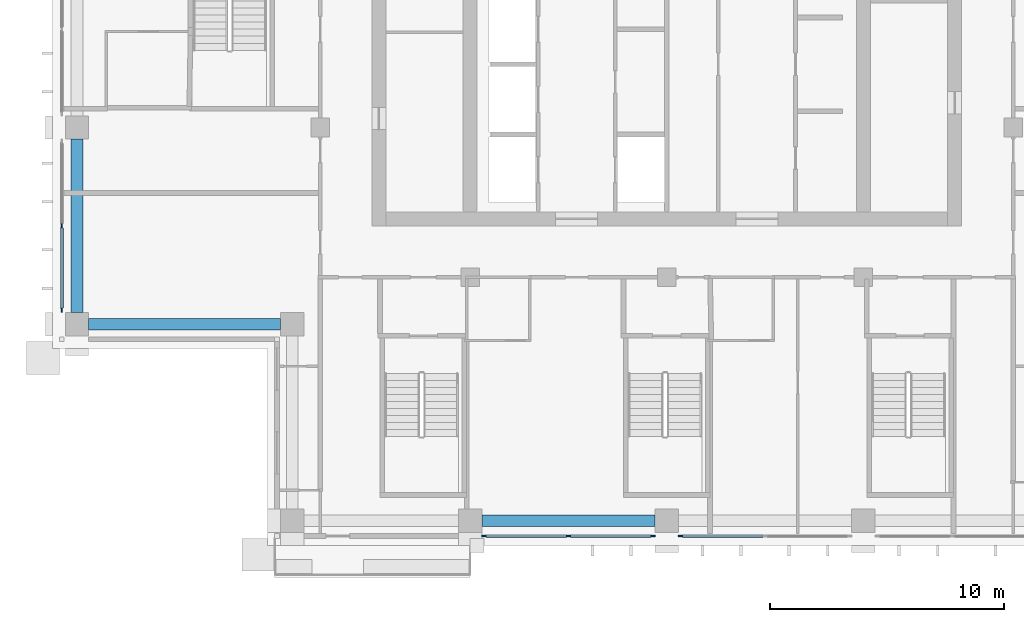
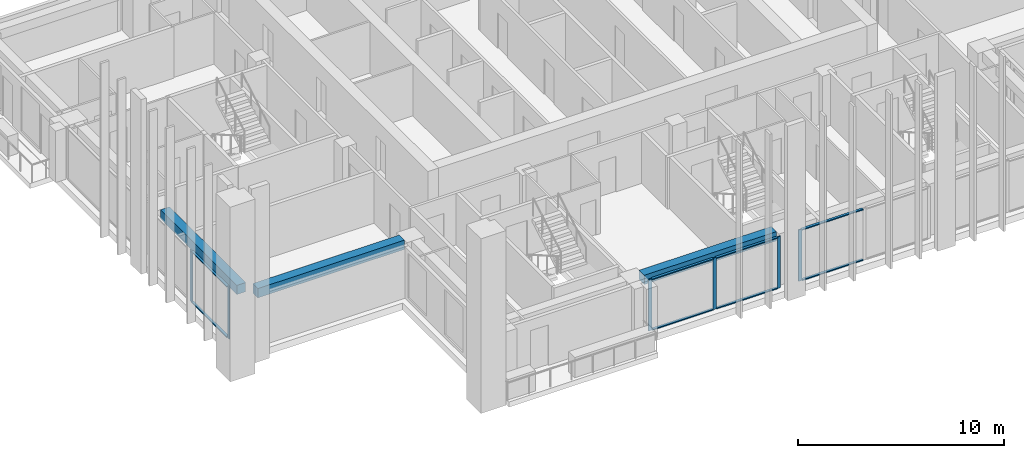
# One storey, part 2 of 17: 14 members, 3 beams, 3 elements without a shape of their own.
"""IFC4 building model written with IfcOpenShell, lengths in metres."""

from ifc_helpers import new_model, si_unit, direction, frame, origin, origin_2d, place, context, subcontext, project, spatial, rectangle, extrude, material, material_profile, profile_set, type_object, element, aggregate, save


model = new_model("IFC4")

# Units and contexts
model_context = context("Model", 3, precision=1e-05, world=origin(), true_north=direction((0.0, 1.0)))
body_context = subcontext(model_context, "Body", "Model", "MODEL_VIEW")
ifc_project = project(units=[si_unit("LENGTHUNIT", "METRE"), si_unit("AREAUNIT", "SQUARE_METRE"), si_unit("VOLUMEUNIT", "CUBIC_METRE"), si_unit("PLANEANGLEUNIT", "RADIAN"), si_unit("MASSUNIT", "GRAM", prefix="KILO")], contexts=[model_context])

# Site, building, storey
site_placement = place(None, origin())
site = spatial("IfcSite", under=ifc_project, at=site_placement, CompositionType="ELEMENT")
building_placement = place(site_placement, origin())
building = spatial("IfcBuilding", under=site, at=building_placement, Name="Vermilion Ogive Tower", CompositionType="ELEMENT")
storey_placement = place(building_placement, frame((0.0, 0.0, 175.550048828125)))
storey = spatial("IfcBuildingStorey", under=building, at=storey_placement, Name="L45", CompositionType="ELEMENT", Elevation=175.550048828125)

# Curtain wall, members
ifc_material_1 = material(Name="Low-iron laminated glazing in aluminium frame", Category="aluminium")
curtain_wall_type = type_object("IfcCurtainWallType", Name="Curtain wall CW7", PredefinedType="NOTDEFINED", material=ifc_material_1)
curtain_wall_1_placement = place(storey_placement, origin())
curtain_wall_1 = element("IfcCurtainWall", 1, at=curtain_wall_1_placement, inside=storey, type_object=curtain_wall_type, Name="Glazed skin S2", PredefinedType="NOTDEFINED")
ifc_material_2 = material(Name="Aluminium mullion", Category="aluminium")
ifc_material_profile_1 = material_profile(ifc_material_2, rectangle(XDim=0.06005859375, YDim=0.179931640625, at=origin_2d()), Name="AL 60x180")
ifc_profile_set_1 = profile_set([ifc_material_profile_1], Name="Aluminium mullion")
member_type_1 = type_object("IfcMemberType", Name="CW7 mullion 60x180", PredefinedType="MULLION", material=ifc_profile_set_1)
member_1_placement = place(storey_placement, frame((-7.81005859375, -21.64990234375, 0.0), z_axis=(0.0, 0.0, 1.0), x_axis=(0.0, 1.0, 0.0)))
member_1 = element("IfcMember", 2, at=member_1_placement, type_object=member_type_1, Name="CW7-S2 mullion 1", PredefinedType="MULLION", context=body_context, shape_type="SweptSolid", body=[
    extrude(rectangle(XDim=0.06005859375, YDim=0.179931640625, at=origin_2d()), origin(), (0.0, 0.0, 1.0), 3.050048828125),
])
member_2_placement = place(storey_placement, frame((-4.199951171875, -21.64990234375, 0.0), z_axis=(0.0, 0.0, 1.0), x_axis=(0.0, 1.0, 0.0)))
member_2 = element("IfcMember", 3, at=member_2_placement, type_object=member_type_1, Name="CW7-S2 mullion 2", PredefinedType="MULLION", context=body_context, shape_type="SweptSolid", body=[
    extrude(rectangle(XDim=0.06005859375, YDim=0.179931640625, at=origin_2d()), origin(), (0.0, 0.0, 1.0), 3.050048828125),
])
member_3_placement = place(storey_placement, frame((-0.590087890625, -21.64990234375, 0.0), z_axis=(0.0, 0.0, 1.0), x_axis=(0.0, 1.0, 0.0)))
member_3 = element("IfcMember", 4, at=member_3_placement, type_object=member_type_1, Name="CW7-S2 mullion 3", PredefinedType="MULLION", context=body_context, shape_type="SweptSolid", body=[
    extrude(rectangle(XDim=0.06005859375, YDim=0.179931640625, at=origin_2d()), origin(), (0.0, 0.0, 1.0), 3.050048828125),
])

# Curtain wall, member
curtain_wall_2_placement = place(storey_placement, origin())
curtain_wall_2 = element("IfcCurtainWall", 5, at=curtain_wall_2_placement, inside=storey, type_object=curtain_wall_type, Name="Glazed skin S3", PredefinedType="NOTDEFINED")
member_4_placement = place(storey_placement, frame((0.590087890625, -21.64990234375, 0.0), z_axis=(0.0, 0.0, 1.0), x_axis=(0.0, 1.0, 0.0)))
member_4 = element("IfcMember", 6, at=member_4_placement, type_object=member_type_1, Name="CW7-S3 mullion 1", PredefinedType="MULLION", context=body_context, shape_type="SweptSolid", body=[
    extrude(rectangle(XDim=0.06005859375, YDim=0.179931640625, at=origin_2d()), origin(), (0.0, 0.0, 1.0), 3.050048828125),
])

# Curtain wall, members
curtain_wall_3_placement = place(storey_placement, origin())
curtain_wall_3 = element("IfcCurtainWall", 7, at=curtain_wall_3_placement, inside=storey, type_object=curtain_wall_type, Name="Glazed skin W3", PredefinedType="NOTDEFINED")
member_5_placement = place(storey_placement, frame((-25.85009765625, -8.39990234375, 0.0), z_axis=(0.0, 0.0, 1.0), x_axis=(1.0, 0.0, 0.0)))
member_5 = element("IfcMember", 8, at=member_5_placement, type_object=member_type_1, Name="CW7-W3 mullion 2", PredefinedType="MULLION", context=body_context, shape_type="SweptSolid", body=[
    extrude(rectangle(XDim=0.06005859375, YDim=0.179931640625, at=origin_2d()), origin(), (0.0, 0.0, 1.0), 3.050048828125),
])
member_6_placement = place(storey_placement, frame((-25.85009765625, -12.010009765625, 0.0), z_axis=(0.0, 0.0, 1.0), x_axis=(1.0, 0.0, 0.0)))
member_6 = element("IfcMember", 9, at=member_6_placement, type_object=member_type_1, Name="CW7-W3 mullion 3", PredefinedType="MULLION", context=body_context, shape_type="SweptSolid", body=[
    extrude(rectangle(XDim=0.06005859375, YDim=0.179931640625, at=origin_2d()), origin(), (0.0, 0.0, 1.0), 3.050048828125),
])

# Member
ifc_material_3 = material(Name="Aluminium transom", Category="aluminium")
ifc_material_profile_2 = material_profile(ifc_material_3, rectangle(XDim=0.139892578125, YDim=0.06005859375, at=origin_2d()), Name="AL 60x140")
ifc_profile_set_2 = profile_set([ifc_material_profile_2], Name="Aluminium transom")
member_type_2 = type_object("IfcMemberType", Name="CW7 transom 60x140", PredefinedType="USERDEFINED", material=ifc_profile_set_2)
member_7_placement = place(storey_placement, frame((-7.719970703125, -21.64990234375, 0.030029296875), z_axis=(1.0, 0.0, 0.0), x_axis=(0.0, 1.0, 0.0)))
member_7 = element("IfcMember", 10, at=member_7_placement, type_object=member_type_2, Name="CW7-S2 transom 1.1", ObjectType="TRANSOM", PredefinedType="USERDEFINED", context=body_context, shape_type="SweptSolid", body=[
    extrude(rectangle(XDim=0.139892578125, YDim=0.06005859375, at=origin_2d()), origin(), (0.0, 0.0, 1.0), 3.429931640625),
])

member_8_placement = place(storey_placement, frame((-7.719970703125, -21.64990234375, 3.02001953125), z_axis=(1.0, 0.0, 0.0), x_axis=(0.0, 1.0, 0.0)))
member_8 = element("IfcMember", 11, at=member_8_placement, type_object=member_type_2, Name="CW7-S2 transom 1.2", ObjectType="TRANSOM", PredefinedType="USERDEFINED", context=body_context, shape_type="SweptSolid", body=[
    extrude(rectangle(XDim=0.139892578125, YDim=0.06005859375, at=origin_2d()), origin(), (0.0, 0.0, 1.0), 3.429931640625),
])

member_9_placement = place(storey_placement, frame((-4.110107421875, -21.64990234375, 0.030029296875), z_axis=(1.0, 0.0, 0.0), x_axis=(0.0, 1.0, 0.0)))
member_9 = element("IfcMember", 12, at=member_9_placement, type_object=member_type_2, Name="CW7-S2 transom 2.1", ObjectType="TRANSOM", PredefinedType="USERDEFINED", context=body_context, shape_type="SweptSolid", body=[
    extrude(rectangle(XDim=0.139892578125, YDim=0.06005859375, at=origin_2d()), origin(), (0.0, 0.0, 1.0), 3.43017578125),
])

member_10_placement = place(storey_placement, frame((-4.110107421875, -21.64990234375, 3.02001953125), z_axis=(1.0, 0.0, 0.0), x_axis=(0.0, 1.0, 0.0)))
member_10 = element("IfcMember", 13, at=member_10_placement, type_object=member_type_2, Name="CW7-S2 transom 2.2", ObjectType="TRANSOM", PredefinedType="USERDEFINED", context=body_context, shape_type="SweptSolid", body=[
    extrude(rectangle(XDim=0.139892578125, YDim=0.06005859375, at=origin_2d()), origin(), (0.0, 0.0, 1.0), 3.43017578125),
])

aggregate(curtain_wall_1, [member_1, member_2, member_3, member_7, member_8, member_9, member_10])

member_11_placement = place(storey_placement, frame((0.679931640625, -21.64990234375, 0.030029296875), z_axis=(1.0, 0.0, 0.0), x_axis=(0.0, 1.0, 0.0)))
member_11 = element("IfcMember", 14, at=member_11_placement, type_object=member_type_2, Name="CW7-S3 transom 1.1", ObjectType="TRANSOM", PredefinedType="USERDEFINED", context=body_context, shape_type="SweptSolid", body=[
    extrude(rectangle(XDim=0.139892578125, YDim=0.06005859375, at=origin_2d()), origin(), (0.0, 0.0, 1.0), 3.43017578125),
])

member_12_placement = place(storey_placement, frame((0.679931640625, -21.64990234375, 3.02001953125), z_axis=(1.0, 0.0, 0.0), x_axis=(0.0, 1.0, 0.0)))
member_12 = element("IfcMember", 15, at=member_12_placement, type_object=member_type_2, Name="CW7-S3 transom 1.2", ObjectType="TRANSOM", PredefinedType="USERDEFINED", context=body_context, shape_type="SweptSolid", body=[
    extrude(rectangle(XDim=0.139892578125, YDim=0.06005859375, at=origin_2d()), origin(), (0.0, 0.0, 1.0), 3.43017578125),
])

aggregate(curtain_wall_2, [member_4, member_11, member_12])

member_13_placement = place(storey_placement, frame((-25.85009765625, -8.489990234375, 0.030029296875), z_axis=(0.0, -1.0, 0.0), x_axis=(1.0, 0.0, 0.0)))
member_13 = element("IfcMember", 16, at=member_13_placement, type_object=member_type_2, Name="CW7-W3 transom 2.1", ObjectType="TRANSOM", PredefinedType="USERDEFINED", context=body_context, shape_type="SweptSolid", body=[
    extrude(rectangle(XDim=0.139892578125, YDim=0.06005859375, at=origin_2d()), origin(), (0.0, 0.0, 1.0), 3.429931640625),
])

member_14_placement = place(storey_placement, frame((-25.85009765625, -8.489990234375, 3.02001953125), z_axis=(0.0, -1.0, 0.0), x_axis=(1.0, 0.0, 0.0)))
member_14 = element("IfcMember", 17, at=member_14_placement, type_object=member_type_2, Name="CW7-W3 transom 2.2", ObjectType="TRANSOM", PredefinedType="USERDEFINED", context=body_context, shape_type="SweptSolid", body=[
    extrude(rectangle(XDim=0.139892578125, YDim=0.06005859375, at=origin_2d()), origin(), (0.0, 0.0, 1.0), 3.429931640625),
])

aggregate(curtain_wall_3, [member_5, member_6, member_13, member_14])

# Beams
ifc_material_4 = material(Name="Concrete B45", Category="concrete")
ifc_material_profile_3 = material_profile(ifc_material_4, rectangle(XDim=0.5, YDim=0.550048828125, at=origin_2d()), Name="500 x 550")
ifc_profile_set_3 = profile_set([ifc_material_profile_3], Name="Concrete B45")
beam_type = type_object("IfcBeamType", Name="Edge beam 500 x 550 B45", PredefinedType="BEAM", material=ifc_profile_set_3)
beam_1_placement = place(storey_placement, frame((-7.89990234375, -21.0, 2.77490234375), z_axis=(1.0, 0.0, 0.0), x_axis=(0.0, 1.0, 0.0)))
element("IfcBeam", 18, at=beam_1_placement, inside=storey, type_object=beam_type, Name="L45-EB-2", PredefinedType="BEAM", context=body_context, shape_type="SweptSolid", body=[
    extrude(rectangle(XDim=0.5, YDim=0.550048828125, at=origin_2d()), origin(), (0.0, 0.0, 1.0), 7.39990234375),
])
beam_2_placement = place(storey_placement, frame((-25.199951171875, -4.699951171875, 2.77490234375), z_axis=(0.0, -1.0, 0.0), x_axis=(1.0, 0.0, 0.0)))
element("IfcBeam", 19, at=beam_2_placement, inside=storey, type_object=beam_type, Name="L45-EB-16", PredefinedType="BEAM", context=body_context, shape_type="SweptSolid", body=[
    extrude(rectangle(XDim=0.5, YDim=0.550048828125, at=origin_2d()), origin(), (0.0, 0.0, 1.0), 7.400146484375),
])
beam_3_placement = place(storey_placement, frame((-24.699951171875, -12.60009765625, 2.77490234375), z_axis=(1.0, 0.0, 0.0), x_axis=(0.0, 1.0, 0.0)))
element("IfcBeam", 20, at=beam_3_placement, inside=storey, type_object=beam_type, Name="L45-EB-17", PredefinedType="BEAM", context=body_context, shape_type="SweptSolid", body=[
    extrude(rectangle(XDim=0.5, YDim=0.550048828125, at=origin_2d()), origin(), (0.0, 0.0, 1.0), 8.199951171875),
])

save(model, "model.ifc")
